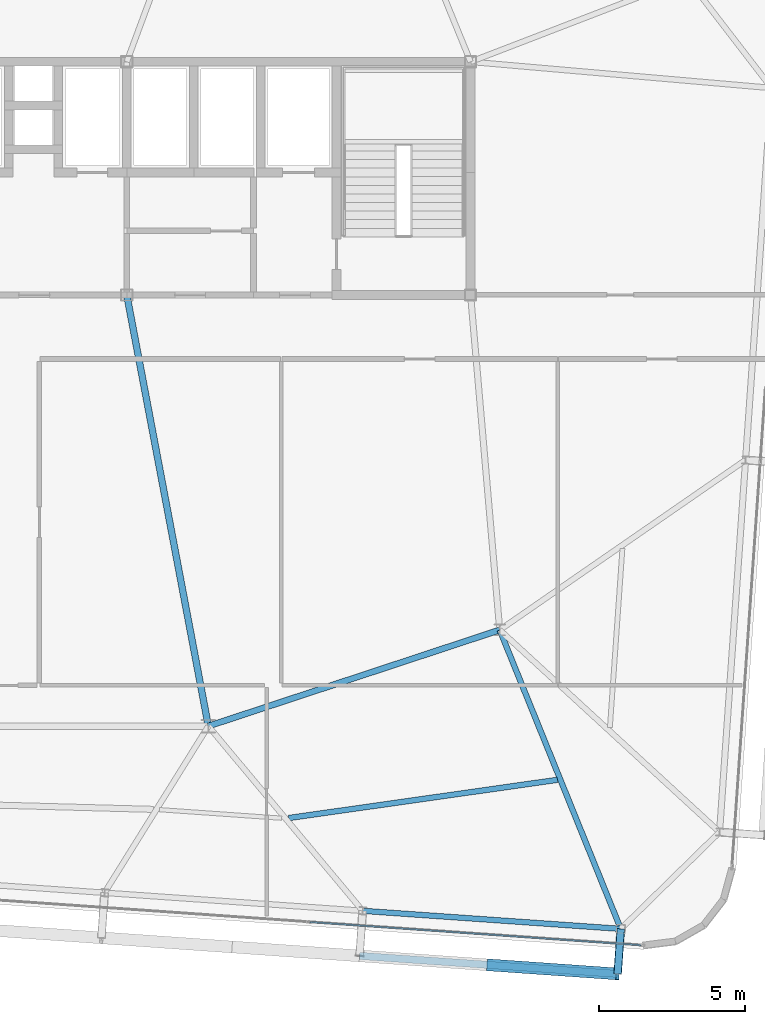
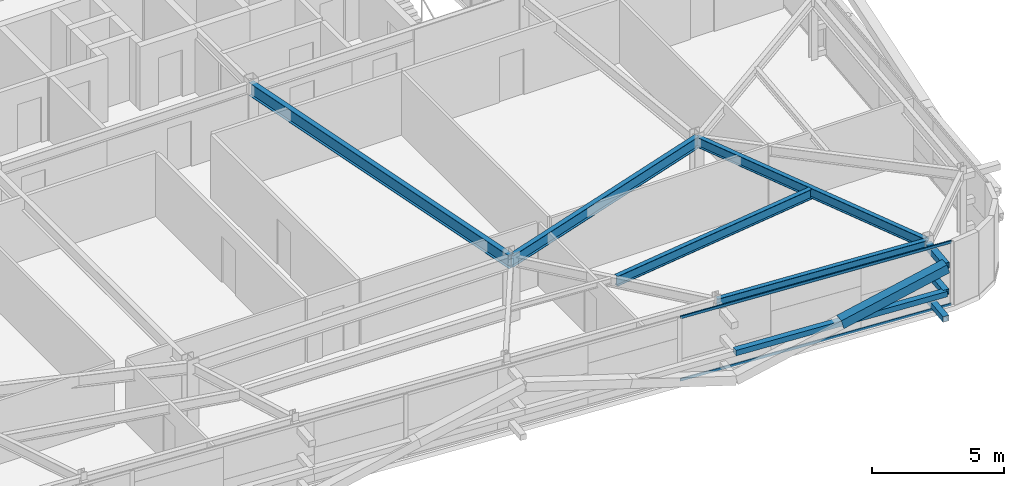
# One storey, part 14 of 39: 7 members, 5 beams, 1 element without a shape of its own.
"""IFC4 building model written with IfcOpenShell, lengths in metres."""

from ifc_helpers import new_model, si_unit, direction, frame, origin, origin_2d, place, context, subcontext, project, spatial, hollow_rectangle, i_section, extrude, source, transform, mapped, material, layer, layer_set, material_profile, profile_set, type_object, element, aggregate, save


model = new_model("IFC4")

# Units and contexts
model_context = context("Model", 3, precision=1e-05, world=origin(), true_north=direction((0.0, 1.0)))
body_context = subcontext(model_context, "Body", "Model", "MODEL_VIEW")
ifc_project = project(units=[si_unit("LENGTHUNIT", "METRE"), si_unit("AREAUNIT", "SQUARE_METRE"), si_unit("VOLUMEUNIT", "CUBIC_METRE"), si_unit("PLANEANGLEUNIT", "RADIAN"), si_unit("MASSUNIT", "GRAM", prefix="KILO")], contexts=[model_context])

# Site, building, storey
site_placement = place(None, origin())
site = spatial("IfcSite", under=ifc_project, at=site_placement, CompositionType="ELEMENT")
building_placement = place(site_placement, origin())
building = spatial("IfcBuilding", under=site, at=building_placement, Name="Taldren Reach Tower", CompositionType="ELEMENT")
storey_placement = place(building_placement, frame((0.0, 0.0, 126.699951171875)))
storey = spatial("IfcBuildingStorey", under=building, at=storey_placement, Name="L38", CompositionType="ELEMENT", Elevation=126.699951171875)

# Beams
ifc_material_1 = material(Name="Steel Gr 350 (350PLUS)", Category="steel")
ifc_material_profile_1 = material_profile(ifc_material_1, i_section(OverallWidth=0.208984375, OverallDepth=0.532958984375, WebThickness=0.01025390625, FlangeThickness=0.015625, at=origin_2d()), Name="530UB92.4")
ifc_profile_set_1 = profile_set([ifc_material_profile_1], Name="Steel Gr 350 (350PLUS)")
beam_type_1 = type_object("IfcBeamType", Name="BM-UB530A", PredefinedType="BEAM", material=ifc_profile_set_1)
shared_shape_1 = source(origin(), body_context, "Body", "SweptSolid", [
    extrude(i_section(OverallWidth=0.208984375, OverallDepth=0.532958984375, WebThickness=0.01025390625, FlangeThickness=0.015625, at=origin_2d()), origin(), (0.0, 0.0, 1.0), 10.530517578125),
])
beam_1_placement = place(storey_placement, frame((42.0, 9.199951171875, 2.66357421875), z_axis=(0.949627269203, 0.313381635689, 0.0), x_axis=(-0.313381635689, 0.949627269203, 0.0)))
element("IfcBeam", 1, at=beam_1_placement, inside=storey, type_object=beam_type_1, Name="Core-spine girder L38-SP12", PredefinedType="BEAM", context=body_context, shape_type="MappedRepresentation", body=[
    mapped(shared_shape_1, transform((0.0, 0.0, 0.0), scale=1.0)),
])
ifc_material_profile_2 = material_profile(ifc_material_1, i_section(OverallWidth=0.22802734375, OverallDepth=0.60205078125, WebThickness=0.010498046875, FlangeThickness=0.014892578125, at=origin_2d()), Name="610UB101")
ifc_profile_set_2 = profile_set([ifc_material_profile_2], Name="Steel Gr 350 (350PLUS)")
beam_type_2 = type_object("IfcBeamType", Name="BM-UB610B", PredefinedType="BEAM", material=ifc_profile_set_2)
shared_shape_2 = source(origin(), body_context, "Body", "SweptSolid", [
    extrude(i_section(OverallWidth=0.22802734375, OverallDepth=0.60205078125, WebThickness=0.010498046875, FlangeThickness=0.014892578125, at=origin_2d()), origin(), (0.0, 0.0, 1.0), 15.0625),
])
beam_2_placement = place(storey_placement, frame((39.199951171875, 24.0, 2.629150390625), z_axis=(0.185894205668, -0.982569765614, 0.0), x_axis=(0.982569765614, 0.185894205668, 0.0)))
element("IfcBeam", 2, at=beam_2_placement, inside=storey, type_object=beam_type_2, Name="Core-spine girder L38-SP15", PredefinedType="BEAM", context=body_context, shape_type="MappedRepresentation", body=[
    mapped(shared_shape_2, transform((0.0, 0.0, 0.0), scale=1.0)),
])

# Members
ifc_material_2 = material(Name="Steel Gr 450 (C450L0)", Category="steel")
ifc_material_profile_3 = material_profile(ifc_material_2, hollow_rectangle(XDim=0.27490234375, YDim=0.27490234375, WallThickness=0.00927734375, at=origin_2d()), Name="275x275x9.3SHS")
ifc_profile_set_3 = profile_set([ifc_material_profile_3], Name="Steel Gr 450 (C450L0)")
member_type_1 = type_object("IfcMemberType", Name="MB-TIE273", PredefinedType="STRUT", material=ifc_profile_set_3)
shared_shape_3 = source(origin(), body_context, "Body", "SweptSolid", [
    extrude(hollow_rectangle(XDim=0.27490234375, YDim=0.27490234375, WallThickness=0.00927734375, at=origin_2d()), origin(), (0.0, 0.0, 1.0), 1.5498046875),
])
member_1_placement = place(storey_placement, frame((56.155517578125, 2.2412109375, 2.650146484375), z_axis=(-0.069780535098, -0.997562367434, 0.0), x_axis=(0.997562367434, -0.069780535098, 0.0)))
element("IfcMember", 3, at=member_1_placement, inside=storey, type_object=member_type_1, Name="Exoskeleton diaphragm tie strut B3-S6 L38", PredefinedType="STRUT", context=body_context, shape_type="MappedRepresentation", body=[
    mapped(shared_shape_3, transform((0.0, 0.0, 0.0), scale=1.0)),
])
ifc_material_3 = material(Name="Steel Gr 350 (C350L0)", Category="steel")
ifc_material_profile_4 = material_profile(ifc_material_3, hollow_rectangle(XDim=0.25, YDim=0.25, WallThickness=0.010009765625, at=origin_2d()), Name="250x250x10.0SHS")
ifc_profile_set_4 = profile_set([ifc_material_profile_4], Name="Steel Gr 350 (C350L0)")
member_type_2 = type_object("IfcMemberType", Name="MB-POST250", PredefinedType="POST", material=ifc_profile_set_4)
shared_shape_4 = source(origin(), body_context, "Body", "SweptSolid", [
    extrude(hollow_rectangle(XDim=0.25, YDim=0.25, WallThickness=0.010009765625, at=origin_2d()), origin(), (0.0, 0.0, 1.0), 1.5498046875),
])
for number, where, z_axis, x_axis, name in (
    (4, (56.155517578125, 2.2412109375, 0.219970703125), (-0.069780535098, -0.997562367434, 0.0), (0.997562367434, -0.069780535098, 0.0), "Exoskeleton base diaphragm tie strut B3-S6 L38"),
    (5, (56.155517578125, 2.2412109375, 1.43505859375), (-0.069780535098, -0.997562367434, 0.0), (0.997562367434, -0.069780535098, 0.0), "Exoskeleton mid-tier diaphragm tie B3-S6 L38"),
):
    element("IfcMember", number, at=place(storey_placement, frame(where, z_axis=z_axis, x_axis=x_axis)), inside=storey, type_object=member_type_2, Name=name, PredefinedType="POST", context=body_context, shape_type="MappedRepresentation", body=[
        mapped(shared_shape_4, transform((0.0, 0.0, 0.0), scale=1.0)),
    ])

# Beams
ifc_material_profile_5 = material_profile(ifc_material_1, i_section(OverallWidth=0.18994140625, OverallDepth=0.4541015625, WebThickness=0.008544921875, FlangeThickness=0.0126953125, at=origin_2d()), Name="460UB67.1")
ifc_profile_set_5 = profile_set([ifc_material_profile_5], Name="Steel Gr 350 (350PLUS)")
beam_type_3 = type_object("IfcBeamType", Name="SP-UB460B", PredefinedType="SPANDREL", material=ifc_profile_set_5)
shared_shape_5 = source(origin(), body_context, "Body", "SweptSolid", [
    extrude(i_section(OverallWidth=0.18994140625, OverallDepth=0.4541015625, WebThickness=0.008544921875, FlangeThickness=0.0126953125, at=origin_2d()), origin(), (0.0, 0.0, 1.0), 8.880126953125),
])
beam_3_placement = place(storey_placement, frame((47.297119140625, 2.860595703125, 2.703125), z_axis=(0.997564479639, -0.069750333063, 0.0), x_axis=(0.069750333063, 0.997564479639, 0.0)))
element("IfcBeam", 6, at=beam_3_placement, inside=storey, type_object=beam_type_3, Name="Perimeter spandrel B3 S5-S6 L38", PredefinedType="SPANDREL", context=body_context, shape_type="MappedRepresentation", body=[
    mapped(shared_shape_5, transform((0.0, 0.0, 0.0), scale=1.0)),
])
ifc_material_profile_6 = material_profile(ifc_material_1, i_section(OverallWidth=0.19091796875, OverallDepth=0.4599609375, WebThickness=0.010009765625, FlangeThickness=0.01611328125, at=origin_2d()), Name="460UB82.1")
ifc_profile_set_6 = profile_set([ifc_material_profile_6], Name="Steel Gr 350 (350PLUS)")
beam_type_4 = type_object("IfcBeamType", Name="BM-UB460A", PredefinedType="BEAM", material=ifc_profile_set_6)
shared_shape_6 = source(origin(), body_context, "Body", "SweptSolid", [
    extrude(i_section(OverallWidth=0.19091796875, OverallDepth=0.4599609375, WebThickness=0.010009765625, FlangeThickness=0.01611328125, at=origin_2d()), origin(), (0.0, 0.0, 1.0), 11.068359375),
])
beam_4_placement = place(storey_placement, frame((52.0, 12.5, 2.699951171875), z_axis=(0.375437319636, -0.92684778633, 0.0), x_axis=(0.92684778633, 0.375437319636, 0.0)))
element("IfcBeam", 7, at=beam_4_placement, inside=storey, type_object=beam_type_4, Name="Primary floor girder B3-S6 L38", PredefinedType="BEAM", context=body_context, shape_type="MappedRepresentation", body=[
    mapped(shared_shape_6, transform((0.0, 0.0, 0.0), scale=1.0)),
])
shared_shape_7 = source(origin(), body_context, "Body", "SweptSolid", [
    extrude(i_section(OverallWidth=0.19091796875, OverallDepth=0.4599609375, WebThickness=0.010009765625, FlangeThickness=0.01611328125, at=origin_2d()), origin(), (0.0, 0.0, 1.0), 9.313232421875),
])
beam_5_placement = place(storey_placement, frame((44.759765625, 6.046142578125, 2.699951171875), z_axis=(0.990049385514, 0.140720340547, 0.0), x_axis=(-0.140720340547, 0.990049385514, 0.0)))
element("IfcBeam", 8, at=beam_5_placement, inside=storey, type_object=beam_type_4, Name="Secondary floor beam B3 J5 L38", PredefinedType="BEAM", context=body_context, shape_type="MappedRepresentation", body=[
    mapped(shared_shape_7, transform((0.0, 0.0, 0.0), scale=1.0)),
])

# Members
shared_shape_8 = source(origin(), body_context, "Body", "SweptSolid", [
    extrude(hollow_rectangle(XDim=0.25, YDim=0.25, WallThickness=0.010009765625, at=origin_2d()), origin(), (0.0, 0.0, 1.0), 8.880126953125),
])
member_2_placement = place(storey_placement, frame((47.18896484375, 1.314453125, 1.43505859375), z_axis=(0.997564479639, -0.069750333063, 0.0), x_axis=(0.069750333063, 0.997564479639, 0.0)))
element("IfcMember", 9, at=member_2_placement, inside=storey, type_object=member_type_2, Name="Exoskeleton mid-height ring chord B3-S5 L38", PredefinedType="POST", context=body_context, shape_type="MappedRepresentation", body=[
    mapped(shared_shape_8, transform((0.0, 0.0, 0.0), scale=1.0)),
])
ifc_material_profile_7 = material_profile(ifc_material_2, hollow_rectangle(XDim=0.409912109375, YDim=0.409912109375, WallThickness=0.01611328125, at=origin_2d()), Name="410x410x16.0SHS")
ifc_profile_set_7 = profile_set([ifc_material_profile_7], Name="Steel Gr 450 (C450L0)")
member_type_3 = type_object("IfcMemberType", Name="MB-EXO406", PredefinedType="BRACE", material=ifc_profile_set_7)
shared_shape_9 = source(origin(), body_context, "Body", "SweptSolid", [
    extrude(hollow_rectangle(XDim=0.409912109375, YDim=0.409912109375, WallThickness=0.01611328125, at=origin_2d()), origin(), (0.0, 0.0, 1.0), 4.603271484375),
])
member_3_placement = place(storey_placement, frame((51.6181640625, 1.004638671875, 1.43505859375), z_axis=(0.962185784239, -0.067250114343, 0.263962002434), x_axis=(0.069722973508, 0.997566392259, 0.0)))
element("IfcMember", 10, at=member_3_placement, inside=storey, type_object=member_type_3, Name="Exoskeleton Diagrid Brace B3-S5 L38", PredefinedType="BRACE", context=body_context, shape_type="MappedRepresentation", body=[
    mapped(shared_shape_9, transform((0.0, 0.0, 0.0), scale=1.0)),
])

# Curtain wall, members
ifc_material_4 = material(Name="Aluminium and Low-E Glass Unitised System", Category="aluminium")
ifc_layer = layer(ifc_material_4, 0.159912109375)
ifc_layer_set = layer_set([ifc_layer], Name="Aluminium and Low-E Glass Unitised System")
curtain_wall_type = type_object("IfcCurtainWallType", Name="CW-SYS-4", PredefinedType="NOTDEFINED", material=ifc_layer_set)
curtain_wall_placement = place(storey_placement, origin())
curtain_wall = element("IfcCurtainWall", 11, at=curtain_wall_placement, inside=storey, type_object=curtain_wall_type, Name="Unitised curtain wall CW-L38-S", PredefinedType="NOTDEFINED")
ifc_material_5 = material(Name="Anodised Aluminium 6063-T6", Category="aluminium")
ifc_material_profile_8 = material_profile(ifc_material_5, hollow_rectangle(XDim=0.054931640625, YDim=0.1201171875, WallThickness=0.0029296875, at=origin_2d()), Name="ALU-120x55x3RHS")
ifc_profile_set_8 = profile_set([ifc_material_profile_8], Name="Anodised Aluminium 6063-T6")
member_type_4 = type_object("IfcMemberType", Name="CW-TRN-135", PredefinedType="USERDEFINED", material=ifc_profile_set_8)
shared_shape_10 = source(origin(), body_context, "Body", "SweptSolid", [
    extrude(hollow_rectangle(XDim=0.054931640625, YDim=0.1201171875, WallThickness=0.0029296875, at=origin_2d()), origin(), (0.0, 0.0, 1.0), 11.395263671875),
])
member_4_placement = place(storey_placement, frame((45.480712890625, 2.476318359375, 0.027587890625), z_axis=(0.997565335668, -0.069738089122, 0.0), x_axis=(0.069738089122, 0.997565335668, 0.0)))
member_4 = element("IfcMember", 12, at=member_4_placement, type_object=member_type_4, Name="CW-4 transom 4.1", ObjectType="TRANSOM", PredefinedType="USERDEFINED", context=body_context, shape_type="MappedRepresentation", body=[
    mapped(shared_shape_10, transform((0.0, 0.0, 0.0), scale=1.0)),
])
member_5_placement = place(storey_placement, frame((45.480712890625, 2.476318359375, 2.902587890625), z_axis=(0.997565335668, -0.069738089122, 0.0), x_axis=(0.069738089122, 0.997565335668, 0.0)))
member_5 = element("IfcMember", 13, at=member_5_placement, type_object=member_type_4, Name="CW-4 transom 4.2", ObjectType="TRANSOM", PredefinedType="USERDEFINED", context=body_context, shape_type="MappedRepresentation", body=[
    mapped(shared_shape_10, transform((0.0, 0.0, 0.0), scale=1.0)),
])
aggregate(curtain_wall, [member_4, member_5])

save(model, "model.ifc")
